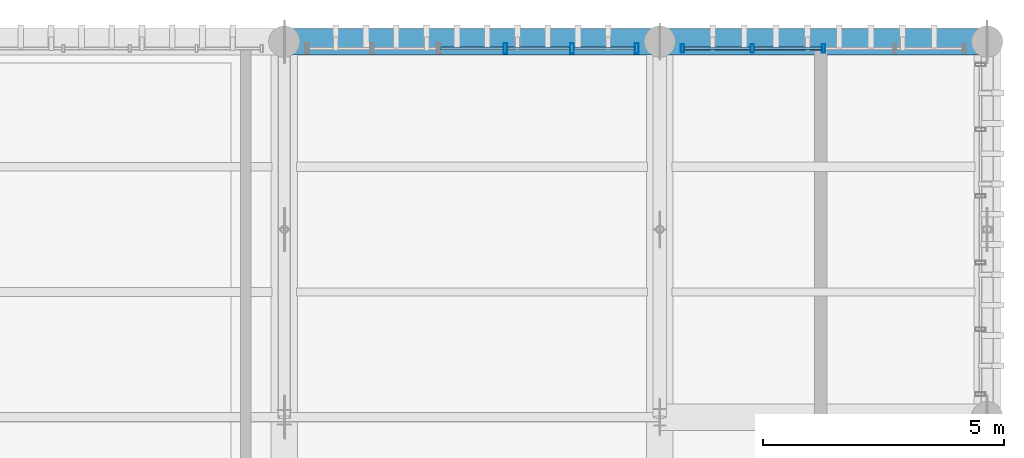
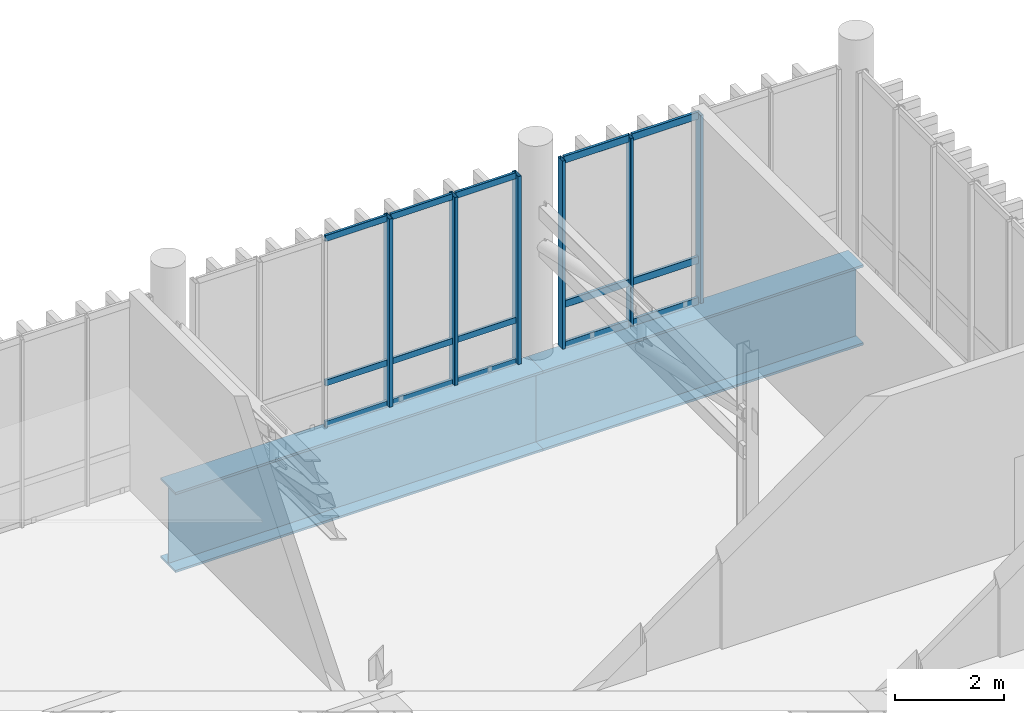
# One storey, part 51 of 81: 21 members, 2 beams, 2 elements without a shape of their own.
"""IFC4 building model written with IfcOpenShell, lengths in metres."""

from ifc_helpers import new_model, si_unit, direction, frame, origin_with_axes, origin_2d_with_axis, place, context, subcontext, project, spatial, hollow_rectangle, i_section, extrude, material, material_profile, profile_set, type_object, element, aggregate, save


model = new_model("IFC4")

# Units and contexts
model_context = context("Model", 3, precision=1e-05, world=origin_with_axes(), true_north=direction((0.0, 1.0)))
body_context = subcontext(model_context, "Body", "Model", "MODEL_VIEW")
ifc_project = project(units=[si_unit("LENGTHUNIT", "METRE"), si_unit("AREAUNIT", "SQUARE_METRE"), si_unit("VOLUMEUNIT", "CUBIC_METRE"), si_unit("PLANEANGLEUNIT", "RADIAN"), si_unit("MASSUNIT", "GRAM", prefix="KILO"), si_unit("THERMODYNAMICTEMPERATUREUNIT", "KELVIN")], contexts=[model_context])

# Site, building, storey
site_placement = place(None, origin_with_axes())
site = spatial("IfcSite", under=ifc_project, at=site_placement, CompositionType="ELEMENT")
building_placement = place(site_placement, origin_with_axes())
building = spatial("IfcBuilding", under=site, at=building_placement, Name="Montbau Bow Law Courts", CompositionType="ELEMENT")
storey_placement = place(building_placement, frame((0.0, 0.0, 24.9), z_axis=(0.0, 0.0, 1.0), x_axis=(1.0, 0.0, 0.0)))
storey = spatial("IfcBuildingStorey", under=building, at=storey_placement, Name="L05", CompositionType="ELEMENT", Elevation=24.9)

# Beams
ifc_material_1 = material(Name="Steel CSA G40.21 Grade 350WT (350 MPa)", Category="steel")
ifc_material_profile_1 = material_profile(ifc_material_1, i_section(OverallWidth=0.55, OverallDepth=1.8, WebThickness=0.022, FlangeThickness=0.05, at=origin_2d_with_axis()), Name="WWF1800X550", Category="Main", Priority=0)
ifc_profile_set_1 = profile_set([ifc_material_profile_1], Name="Steel CSA G40.21 Grade 350WT (350 MPa)")
beam_type = type_object("IfcBeamType", Name="B-TRG-01", PredefinedType="USERDEFINED", material=ifc_profile_set_1)
beam_1_placement = place(None, frame((154.8, 111.0, 23.7), z_axis=(1.0, 0.0, 0.0), x_axis=(0.0, 1.0, 0.0)))
element("IfcBeam", 1, at=beam_1_placement, inside=storey, type_object=beam_type, Name="TRG-L05-S0088:bm2_0091", ObjectType="GIRDER", PredefinedType="USERDEFINED", context=body_context, shape_type="SweptSolid", body=[
    extrude(i_section(OverallWidth=0.55, OverallDepth=1.8, WebThickness=0.022, FlangeThickness=0.05, at=origin_2d_with_axis()), origin_with_axes(), (0.0, 0.0, 1.0), 7.8),
])
beam_2_placement = place(None, frame((162.6, 111.0, 23.7), z_axis=(1.0, 0.0, 0.0), x_axis=(0.0, 1.0, 0.0)))
element("IfcBeam", 2, at=beam_2_placement, inside=storey, type_object=beam_type, Name="TRG-L05-S0089:bm2_0092", ObjectType="GIRDER", PredefinedType="USERDEFINED", context=body_context, shape_type="SweptSolid", body=[
    extrude(i_section(OverallWidth=0.55, OverallDepth=1.8, WebThickness=0.022, FlangeThickness=0.05, at=origin_2d_with_axis()), origin_with_axes(), (0.0, 0.0, 1.0), 6.8),
])

# Curtain wall, members
ifc_material_2 = material(Name="Thermally Broken Extruded Aluminium AA 6063-T6", Category="aluminium")
curtain_wall_type = type_object("IfcCurtainWallType", Name="CW-SLT-02", PredefinedType="NOTDEFINED", material=ifc_material_2)
curtain_wall_1_placement = place(None, frame((155.24, 110.86, 24.9), z_axis=(0.0, 0.0, 1.0), x_axis=(1.0, 0.0, 0.0)))
curtain_wall_1 = element("IfcCurtainWall", 3, at=curtain_wall_1_placement, inside=storey, type_object=curtain_wall_type, Name="CW-L05-339:cw_0339", PredefinedType="NOTDEFINED")
ifc_material_profile_2 = material_profile(ifc_material_2, hollow_rectangle(XDim=0.075, YDim=0.22, WallThickness=0.005, InnerFilletRadius=0.01, OuterFilletRadius=0.005, at=origin_2d_with_axis()), Name="CWM-220X75", Category="Main", Priority=0)
ifc_profile_set_2 = profile_set([ifc_material_profile_2], Name="Thermally Broken Extruded Aluminium AA 6063-T6")
member_type_1 = type_object("IfcMemberType", Name="M-MUL-01", PredefinedType="MULLION", material=ifc_profile_set_2)
member_1_placement = place(None, frame((159.392, 110.86, 24.9), z_axis=(0.0, 0.0, 1.0), x_axis=(1.0, 0.0, 0.0)))
member_1 = element("IfcMember", 4, at=member_1_placement, type_object=member_type_1, Name="CW-L05-339-M04:cw_0339_M04", PredefinedType="MULLION", context=body_context, shape_type="SweptSolid", body=[
    extrude(hollow_rectangle(XDim=0.075, YDim=0.22, WallThickness=0.005, InnerFilletRadius=0.01, OuterFilletRadius=0.005, at=origin_2d_with_axis()), origin_with_axes(), (0.0, 0.0, 1.0), 4.22),
])
member_2_placement = place(None, frame((160.776, 110.86, 24.9), z_axis=(0.0, 0.0, 1.0), x_axis=(1.0, 0.0, 0.0)))
member_2 = element("IfcMember", 5, at=member_2_placement, type_object=member_type_1, Name="CW-L05-339-M05:cw_0339_M05", PredefinedType="MULLION", context=body_context, shape_type="SweptSolid", body=[
    extrude(hollow_rectangle(XDim=0.075, YDim=0.22, WallThickness=0.005, InnerFilletRadius=0.01, OuterFilletRadius=0.005, at=origin_2d_with_axis()), origin_with_axes(), (0.0, 0.0, 1.0), 4.22),
])
member_3_placement = place(None, frame((162.122, 110.86, 24.9), z_axis=(0.0, 0.0, 1.0), x_axis=(1.0, 0.0, 0.0)))
member_3 = element("IfcMember", 6, at=member_3_placement, type_object=member_type_1, Name="CW-L05-339-M06:cw_0339_M06", PredefinedType="MULLION", context=body_context, shape_type="SweptSolid", body=[
    extrude(hollow_rectangle(XDim=0.075, YDim=0.22, WallThickness=0.005, InnerFilletRadius=0.01, OuterFilletRadius=0.005, at=origin_2d_with_axis()), origin_with_axes(), (0.0, 0.0, 1.0), 4.22),
])

curtain_wall_2_placement = place(None, frame((163.04, 110.86, 24.9), z_axis=(0.0, 0.0, 1.0), x_axis=(1.0, 0.0, 0.0)))
curtain_wall_2 = element("IfcCurtainWall", 7, at=curtain_wall_2_placement, inside=storey, type_object=curtain_wall_type, Name="CW-L05-340:cw_0340", PredefinedType="NOTDEFINED")
ifc_material_profile_3 = material_profile(ifc_material_2, hollow_rectangle(XDim=0.065, YDim=0.18, WallThickness=0.005, InnerFilletRadius=0.01, OuterFilletRadius=0.005, at=origin_2d_with_axis()), Name="CWM-180X65", Category="Main", Priority=0)
ifc_profile_set_3 = profile_set([ifc_material_profile_3], Name="Thermally Broken Extruded Aluminium AA 6063-T6")
member_type_2 = type_object("IfcMemberType", Name="M-MUL-02", PredefinedType="MULLION", material=ifc_profile_set_3)
member_4_placement = place(None, frame((163.073, 110.86, 24.9), z_axis=(0.0, 0.0, 1.0), x_axis=(1.0, 0.0, 0.0)))
member_4 = element("IfcMember", 8, at=member_4_placement, type_object=member_type_2, Name="CW-L05-340-M01:cw_0340_M01", PredefinedType="MULLION", context=body_context, shape_type="SweptSolid", body=[
    extrude(hollow_rectangle(XDim=0.065, YDim=0.18, WallThickness=0.005, InnerFilletRadius=0.01, OuterFilletRadius=0.005, at=origin_2d_with_axis()), origin_with_axes(), (0.0, 0.0, 1.0), 4.22),
])
member_5_placement = place(None, frame((164.52, 110.86, 24.9), z_axis=(0.0, 0.0, 1.0), x_axis=(1.0, 0.0, 0.0)))
member_5 = element("IfcMember", 9, at=member_5_placement, type_object=member_type_2, Name="CW-L05-340-M02:cw_0340_M02", PredefinedType="MULLION", context=body_context, shape_type="SweptSolid", body=[
    extrude(hollow_rectangle(XDim=0.065, YDim=0.18, WallThickness=0.005, InnerFilletRadius=0.01, OuterFilletRadius=0.005, at=origin_2d_with_axis()), origin_with_axes(), (0.0, 0.0, 1.0), 4.22),
])
member_6_placement = place(None, frame((166.0, 110.86, 24.9), z_axis=(0.0, 0.0, 1.0), x_axis=(1.0, 0.0, 0.0)))
member_6 = element("IfcMember", 10, at=member_6_placement, type_object=member_type_2, Name="CW-L05-340-M03:cw_0340_M03", PredefinedType="MULLION", context=body_context, shape_type="SweptSolid", body=[
    extrude(hollow_rectangle(XDim=0.065, YDim=0.18, WallThickness=0.005, InnerFilletRadius=0.01, OuterFilletRadius=0.005, at=origin_2d_with_axis()), origin_with_axes(), (0.0, 0.0, 1.0), 4.22),
])
ifc_material_profile_4 = material_profile(ifc_material_2, hollow_rectangle(XDim=0.06, YDim=0.16, WallThickness=0.004, InnerFilletRadius=0.008, OuterFilletRadius=0.004, at=origin_2d_with_axis()), Name="CWT-160X60", Category="Main", Priority=0)
ifc_profile_set_4 = profile_set([ifc_material_profile_4], Name="Thermally Broken Extruded Aluminium AA 6063-T6")
member_type_3 = type_object("IfcMemberType", Name="M-TRN-01", PredefinedType="USERDEFINED", material=ifc_profile_set_4)
member_7_placement = place(None, frame((163.108, 110.86, 24.93), z_axis=(1.0, 0.0, 0.0), x_axis=(0.0, 1.0, 0.0)))
member_7 = element("IfcMember", 11, at=member_7_placement, type_object=member_type_3, Name="CW-L05-340-T01-1:cw_0340_T01_1", ObjectType="TRANSOM", PredefinedType="USERDEFINED", context=body_context, shape_type="SweptSolid", body=[
    extrude(hollow_rectangle(XDim=0.06, YDim=0.16, WallThickness=0.004, InnerFilletRadius=0.008, OuterFilletRadius=0.004, at=origin_2d_with_axis()), origin_with_axes(), (0.0, 0.0, 1.0), 1.378),
])
member_8_placement = place(None, frame((163.108, 110.86, 25.85), z_axis=(1.0, 0.0, 0.0), x_axis=(0.0, 1.0, 0.0)))
member_8 = element("IfcMember", 12, at=member_8_placement, type_object=member_type_3, Name="CW-L05-340-T01-2:cw_0340_T01_2", ObjectType="TRANSOM", PredefinedType="USERDEFINED", context=body_context, shape_type="SweptSolid", body=[
    extrude(hollow_rectangle(XDim=0.06, YDim=0.16, WallThickness=0.004, InnerFilletRadius=0.008, OuterFilletRadius=0.004, at=origin_2d_with_axis()), origin_with_axes(), (0.0, 0.0, 1.0), 1.378),
])
member_9_placement = place(None, frame((163.108, 110.86, 29.09), z_axis=(1.0, 0.0, 0.0), x_axis=(0.0, 1.0, 0.0)))
member_9 = element("IfcMember", 13, at=member_9_placement, type_object=member_type_3, Name="CW-L05-340-T01-3:cw_0340_T01_3", ObjectType="TRANSOM", PredefinedType="USERDEFINED", context=body_context, shape_type="SweptSolid", body=[
    extrude(hollow_rectangle(XDim=0.06, YDim=0.16, WallThickness=0.004, InnerFilletRadius=0.008, OuterFilletRadius=0.004, at=origin_2d_with_axis()), origin_with_axes(), (0.0, 0.0, 1.0), 1.378),
])
member_10_placement = place(None, frame((164.554, 110.86, 24.93), z_axis=(1.0, 0.0, 0.0), x_axis=(0.0, 1.0, 0.0)))
member_10 = element("IfcMember", 14, at=member_10_placement, type_object=member_type_3, Name="CW-L05-340-T02-1:cw_0340_T02_1", ObjectType="TRANSOM", PredefinedType="USERDEFINED", context=body_context, shape_type="SweptSolid", body=[
    extrude(hollow_rectangle(XDim=0.06, YDim=0.16, WallThickness=0.004, InnerFilletRadius=0.008, OuterFilletRadius=0.004, at=origin_2d_with_axis()), origin_with_axes(), (0.0, 0.0, 1.0), 1.411),
])
member_11_placement = place(None, frame((164.554, 110.86, 25.85), z_axis=(1.0, 0.0, 0.0), x_axis=(0.0, 1.0, 0.0)))
member_11 = element("IfcMember", 15, at=member_11_placement, type_object=member_type_3, Name="CW-L05-340-T02-2:cw_0340_T02_2", ObjectType="TRANSOM", PredefinedType="USERDEFINED", context=body_context, shape_type="SweptSolid", body=[
    extrude(hollow_rectangle(XDim=0.06, YDim=0.16, WallThickness=0.004, InnerFilletRadius=0.008, OuterFilletRadius=0.004, at=origin_2d_with_axis()), origin_with_axes(), (0.0, 0.0, 1.0), 1.411),
])
member_12_placement = place(None, frame((164.554, 110.86, 29.09), z_axis=(1.0, 0.0, 0.0), x_axis=(0.0, 1.0, 0.0)))
member_12 = element("IfcMember", 16, at=member_12_placement, type_object=member_type_3, Name="CW-L05-340-T02-3:cw_0340_T02_3", ObjectType="TRANSOM", PredefinedType="USERDEFINED", context=body_context, shape_type="SweptSolid", body=[
    extrude(hollow_rectangle(XDim=0.06, YDim=0.16, WallThickness=0.004, InnerFilletRadius=0.008, OuterFilletRadius=0.004, at=origin_2d_with_axis()), origin_with_axes(), (0.0, 0.0, 1.0), 1.411),
])
aggregate(curtain_wall_2, [member_4, member_5, member_6, member_7, member_8, member_9, member_10, member_11, member_12])

# Member
ifc_material_profile_5 = material_profile(ifc_material_2, hollow_rectangle(XDim=0.055, YDim=0.14, WallThickness=0.004, InnerFilletRadius=0.008, OuterFilletRadius=0.004, at=origin_2d_with_axis()), Name="CWT-140X55", Category="Main", Priority=0)
ifc_profile_set_5 = profile_set([ifc_material_profile_5], Name="Thermally Broken Extruded Aluminium AA 6063-T6")
member_type_4 = type_object("IfcMemberType", Name="M-TRN-02", PredefinedType="USERDEFINED", material=ifc_profile_set_5)
member_13_placement = place(None, frame((158.047, 110.86, 24.927), z_axis=(1.0, 0.0, 0.0), x_axis=(0.0, 1.0, 0.0)))
member_13 = element("IfcMember", 17, at=member_13_placement, type_object=member_type_4, Name="CW-L05-339-T03-1:cw_0339_T03_1", ObjectType="TRANSOM", PredefinedType="USERDEFINED", context=body_context, shape_type="SweptSolid", body=[
    extrude(hollow_rectangle(XDim=0.055, YDim=0.14, WallThickness=0.004, InnerFilletRadius=0.008, OuterFilletRadius=0.004, at=origin_2d_with_axis()), origin_with_axes(), (0.0, 0.0, 1.0), 1.306),
])

member_14_placement = place(None, frame((158.047, 110.86, 25.85), z_axis=(1.0, 0.0, 0.0), x_axis=(0.0, 1.0, 0.0)))
member_14 = element("IfcMember", 18, at=member_14_placement, type_object=member_type_4, Name="CW-L05-339-T03-2:cw_0339_T03_2", ObjectType="TRANSOM", PredefinedType="USERDEFINED", context=body_context, shape_type="SweptSolid", body=[
    extrude(hollow_rectangle(XDim=0.055, YDim=0.14, WallThickness=0.004, InnerFilletRadius=0.008, OuterFilletRadius=0.004, at=origin_2d_with_axis()), origin_with_axes(), (0.0, 0.0, 1.0), 1.306),
])

member_15_placement = place(None, frame((158.047, 110.86, 29.093), z_axis=(1.0, 0.0, 0.0), x_axis=(0.0, 1.0, 0.0)))
member_15 = element("IfcMember", 19, at=member_15_placement, type_object=member_type_4, Name="CW-L05-339-T03-3:cw_0339_T03_3", ObjectType="TRANSOM", PredefinedType="USERDEFINED", context=body_context, shape_type="SweptSolid", body=[
    extrude(hollow_rectangle(XDim=0.055, YDim=0.14, WallThickness=0.004, InnerFilletRadius=0.008, OuterFilletRadius=0.004, at=origin_2d_with_axis()), origin_with_axes(), (0.0, 0.0, 1.0), 1.306),
])

member_16_placement = place(None, frame((159.431, 110.86, 24.927), z_axis=(1.0, 0.0, 0.0), x_axis=(0.0, 1.0, 0.0)))
member_16 = element("IfcMember", 20, at=member_16_placement, type_object=member_type_4, Name="CW-L05-339-T04-1:cw_0339_T04_1", ObjectType="TRANSOM", PredefinedType="USERDEFINED", context=body_context, shape_type="SweptSolid", body=[
    extrude(hollow_rectangle(XDim=0.055, YDim=0.14, WallThickness=0.004, InnerFilletRadius=0.008, OuterFilletRadius=0.004, at=origin_2d_with_axis()), origin_with_axes(), (0.0, 0.0, 1.0), 1.306),
])

member_17_placement = place(None, frame((159.431, 110.86, 25.85), z_axis=(1.0, 0.0, 0.0), x_axis=(0.0, 1.0, 0.0)))
member_17 = element("IfcMember", 21, at=member_17_placement, type_object=member_type_4, Name="CW-L05-339-T04-2:cw_0339_T04_2", ObjectType="TRANSOM", PredefinedType="USERDEFINED", context=body_context, shape_type="SweptSolid", body=[
    extrude(hollow_rectangle(XDim=0.055, YDim=0.14, WallThickness=0.004, InnerFilletRadius=0.008, OuterFilletRadius=0.004, at=origin_2d_with_axis()), origin_with_axes(), (0.0, 0.0, 1.0), 1.306),
])

member_18_placement = place(None, frame((159.431, 110.86, 29.093), z_axis=(1.0, 0.0, 0.0), x_axis=(0.0, 1.0, 0.0)))
member_18 = element("IfcMember", 22, at=member_18_placement, type_object=member_type_4, Name="CW-L05-339-T04-3:cw_0339_T04_3", ObjectType="TRANSOM", PredefinedType="USERDEFINED", context=body_context, shape_type="SweptSolid", body=[
    extrude(hollow_rectangle(XDim=0.055, YDim=0.14, WallThickness=0.004, InnerFilletRadius=0.008, OuterFilletRadius=0.004, at=origin_2d_with_axis()), origin_with_axes(), (0.0, 0.0, 1.0), 1.306),
])

member_19_placement = place(None, frame((160.815, 110.86, 24.927), z_axis=(1.0, 0.0, 0.0), x_axis=(0.0, 1.0, 0.0)))
member_19 = element("IfcMember", 23, at=member_19_placement, type_object=member_type_4, Name="CW-L05-339-T05-1:cw_0339_T05_1", ObjectType="TRANSOM", PredefinedType="USERDEFINED", context=body_context, shape_type="SweptSolid", body=[
    extrude(hollow_rectangle(XDim=0.055, YDim=0.14, WallThickness=0.004, InnerFilletRadius=0.008, OuterFilletRadius=0.004, at=origin_2d_with_axis()), origin_with_axes(), (0.0, 0.0, 1.0), 1.268),
])

member_20_placement = place(None, frame((160.815, 110.86, 25.85), z_axis=(1.0, 0.0, 0.0), x_axis=(0.0, 1.0, 0.0)))
member_20 = element("IfcMember", 24, at=member_20_placement, type_object=member_type_4, Name="CW-L05-339-T05-2:cw_0339_T05_2", ObjectType="TRANSOM", PredefinedType="USERDEFINED", context=body_context, shape_type="SweptSolid", body=[
    extrude(hollow_rectangle(XDim=0.055, YDim=0.14, WallThickness=0.004, InnerFilletRadius=0.008, OuterFilletRadius=0.004, at=origin_2d_with_axis()), origin_with_axes(), (0.0, 0.0, 1.0), 1.268),
])

member_21_placement = place(None, frame((160.815, 110.86, 29.093), z_axis=(1.0, 0.0, 0.0), x_axis=(0.0, 1.0, 0.0)))
member_21 = element("IfcMember", 25, at=member_21_placement, type_object=member_type_4, Name="CW-L05-339-T05-3:cw_0339_T05_3", ObjectType="TRANSOM", PredefinedType="USERDEFINED", context=body_context, shape_type="SweptSolid", body=[
    extrude(hollow_rectangle(XDim=0.055, YDim=0.14, WallThickness=0.004, InnerFilletRadius=0.008, OuterFilletRadius=0.004, at=origin_2d_with_axis()), origin_with_axes(), (0.0, 0.0, 1.0), 1.268),
])

aggregate(curtain_wall_1, [member_1, member_2, member_3, member_13, member_14, member_15, member_16, member_17, member_18, member_19, member_20, member_21])

save(model, "model.ifc")
